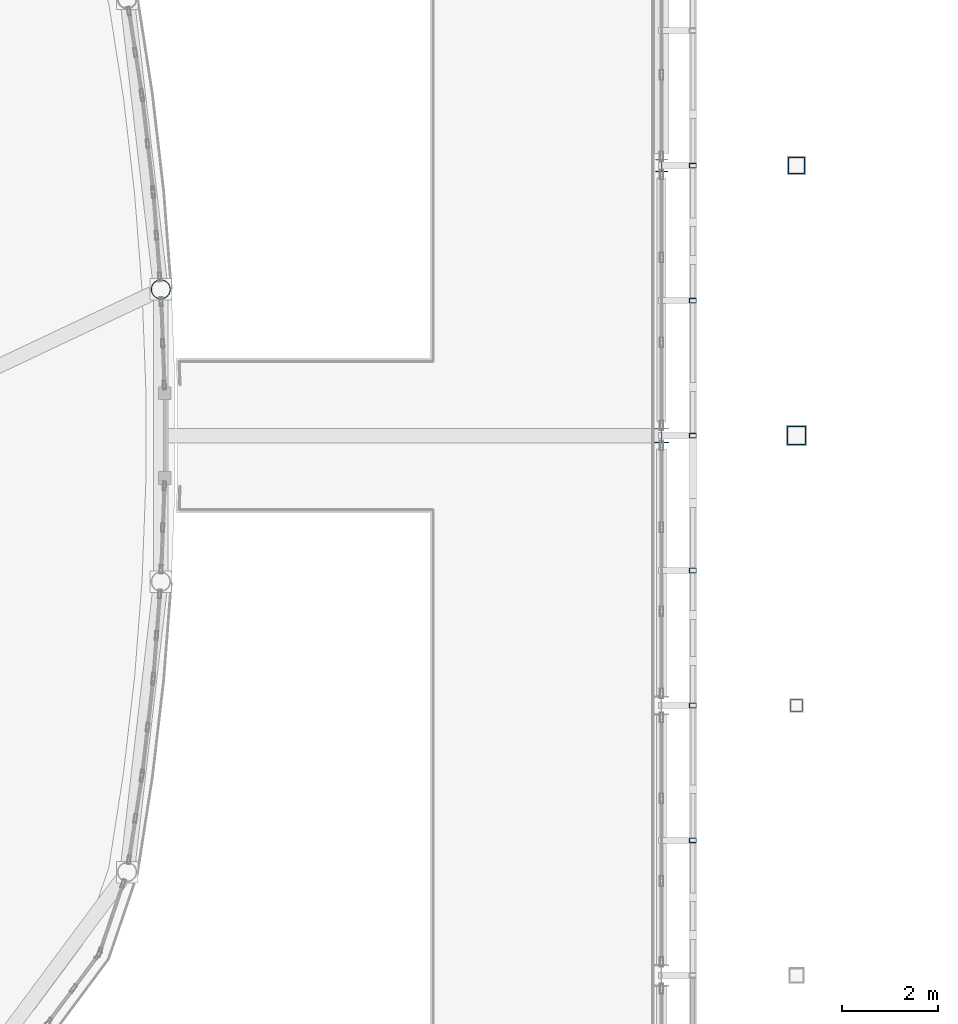
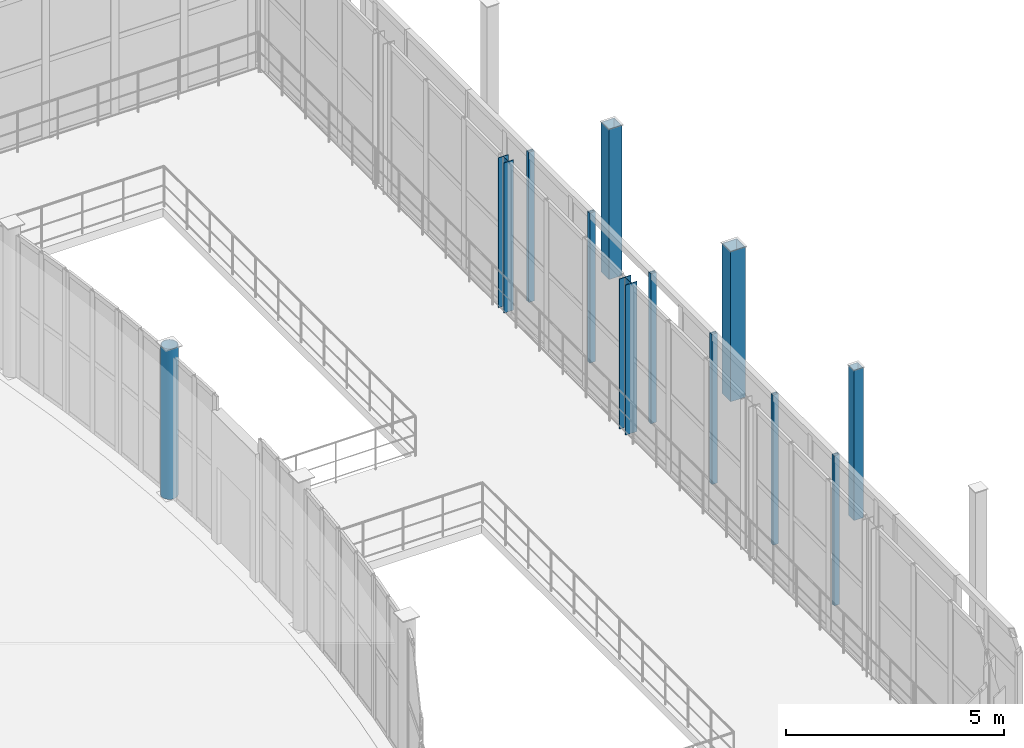
# One storey, part 12 of 121: 12 columns.
"""IFC4 building model written with IfcOpenShell, lengths in metres."""

from ifc_helpers import new_model, si_unit, direction, frame, origin, origin_2d, place, context, subcontext, project, spatial, hollow_rectangle, hollow_circle, i_section, extrude, material, material_profile, profile_set, type_object, element, save


model = new_model("IFC4")

# Units and contexts
model_context = context("Model", 3, precision=1e-05, world=origin(), true_north=direction((0.0, 1.0)))
body_context = subcontext(model_context, "Body", "Model", "MODEL_VIEW")
ifc_project = project(units=[si_unit("LENGTHUNIT", "METRE"), si_unit("AREAUNIT", "SQUARE_METRE"), si_unit("VOLUMEUNIT", "CUBIC_METRE"), si_unit("PLANEANGLEUNIT", "RADIAN"), si_unit("MASSUNIT", "GRAM", prefix="KILO")], contexts=[model_context])

# Site, building, storey
site_placement = place(None, origin())
site = spatial("IfcSite", under=ifc_project, at=site_placement, CompositionType="ELEMENT")
building_placement = place(site_placement, origin())
building = spatial("IfcBuilding", under=site, at=building_placement, Name="Vinh Khe Railworks Police Headquarters", CompositionType="ELEMENT")
storey_placement = place(building_placement, frame((0.0, 0.0, 4.800048828125)))
storey = spatial("IfcBuildingStorey", under=building, at=storey_placement, Name="L01", CompositionType="ELEMENT", Elevation=4.800048828125)

# Columns
ifc_material = material(Name="Steel S355JR", Category="steel")
ifc_material_profile_1 = material_profile(ifc_material, hollow_rectangle(XDim=0.14990234375, YDim=0.10009765625, WallThickness=0.008056640625, at=origin_2d()), Name="RHS 150x100x8")
ifc_profile_set_1 = profile_set([ifc_material_profile_1], Name="Steel S355JR")
column_type_1 = type_object("IfcColumnType", Name="COL-QUILT-POST", PredefinedType="COLUMN", material=ifc_profile_set_1)
for number, where, z_axis, x_axis, name in (
    (1, (60.64990234375, 33.60009765625, 0.0), (0.0, 0.0, 1.0), (1.0, 0.0, 0.0), "Patchwork Quilt Carrier Column E-4 (L01)"),
    (2, (60.64990234375, 36.39990234375, 0.0), (0.0, 0.0, 1.0), (1.0, 0.0, 0.0), "Patchwork Quilt Carrier Column E-5 (L01)"),
    (3, (60.64990234375, 39.199951171875, 0.0), (0.0, 0.0, 1.0), (1.0, 0.0, 0.0), "Patchwork Quilt Carrier Column E-6 (L01)"),
    (4, (60.64990234375, 42.0, 0.0), (0.0, 0.0, 1.0), (1.0, 0.0, 0.0), "Patchwork Quilt Carrier Column E-7 (L01)"),
    (5, (60.64990234375, 44.800048828125, 0.0), (0.0, 0.0, 1.0), (1.0, 0.0, 0.0), "Patchwork Quilt Carrier Column E-8 (L01)"),
    (6, (60.64990234375, 47.60009765625, 0.0), (0.0, 0.0, 1.0), (1.0, 0.0, 0.0), "Patchwork Quilt Carrier Column E-9 (L01)"),
):
    element("IfcColumn", number, at=place(storey_placement, frame(where, z_axis=z_axis, x_axis=x_axis)), inside=storey, type_object=column_type_1, Name=name, PredefinedType="COLUMN", context=body_context, shape_type="SweptSolid", body=[
        extrude(hollow_rectangle(XDim=0.14990234375, YDim=0.10009765625, WallThickness=0.008056640625, at=origin_2d()), origin(), (0.0, 0.0, 1.0), 4.199951171875),
    ])
ifc_material_profile_2 = material_profile(ifc_material, hollow_circle(Radius=0.203125, WallThickness=0.01611328125, at=origin_2d()), Name="CHS 406.4x16")
ifc_profile_set_2 = profile_set([ifc_material_profile_2], Name="Steel S355JR")
column_type_2 = type_object("IfcColumnType", Name="Steel Column CHS 406.4x16", PredefinedType="COLUMN", material=ifc_profile_set_2)
column_1_placement = place(storey_placement, frame((49.6123046875, 45.031982421875, 0.0), z_axis=(0.0, 0.0, 1.0), x_axis=(0.997039347045, 0.076893045491, 0.0)))
element("IfcColumn", 7, at=column_1_placement, inside=storey, type_object=column_type_2, Name="Column COL-L01-SC-26-0956", PredefinedType="COLUMN", context=body_context, shape_type="SweptSolid", body=[
    extrude(hollow_circle(Radius=0.203125, WallThickness=0.01611328125, at=origin_2d()), origin(), (0.0, 0.0, 1.0), 4.199951171875),
])
ifc_material_profile_3 = material_profile(ifc_material, i_section(OverallWidth=0.260009765625, OverallDepth=0.260009765625, WebThickness=0.010009765625, FlangeThickness=0.017578125, FilletRadius=0.02392578125, at=origin_2d()), Name="HEB 260")
ifc_profile_set_3 = profile_set([ifc_material_profile_3], Name="Steel S355JR")
column_type_3 = type_object("IfcColumnType", Name="Steel Column HEB 260", PredefinedType="COLUMN", material=ifc_profile_set_3)
column_2_placement = place(storey_placement, frame((60.0, 47.60009765625, 0.0), z_axis=(0.0, 0.0, 1.0), x_axis=(1.0, 0.0, 0.0)))
element("IfcColumn", 8, at=column_2_placement, inside=storey, type_object=column_type_3, Name="Column COL-L01-SC-12-1029", PredefinedType="COLUMN", context=body_context, shape_type="SweptSolid", body=[
    extrude(i_section(OverallWidth=0.260009765625, OverallDepth=0.260009765625, WebThickness=0.010009765625, FlangeThickness=0.017578125, FilletRadius=0.02392578125, at=origin_2d()), origin(), (0.0, 0.0, 1.0), 4.199951171875),
])
ifc_material_profile_4 = material_profile(ifc_material, i_section(OverallWidth=0.300048828125, OverallDepth=0.300048828125, WebThickness=0.010986328125, FlangeThickness=0.01904296875, FilletRadius=0.027099609375, at=origin_2d()), Name="HEB 300")
ifc_profile_set_4 = profile_set([ifc_material_profile_4], Name="Steel S355JR")
column_type_4 = type_object("IfcColumnType", Name="Steel Column HEB 300", PredefinedType="COLUMN", material=ifc_profile_set_4)
column_3_placement = place(storey_placement, frame((60.0, 42.0, 0.0), z_axis=(0.0, 0.0, 1.0), x_axis=(1.0, 0.0, 0.0)))
element("IfcColumn", 9, at=column_3_placement, inside=storey, type_object=column_type_4, Name="Column COL-L01-SC-11-1024", PredefinedType="COLUMN", context=body_context, shape_type="SweptSolid", body=[
    extrude(i_section(OverallWidth=0.300048828125, OverallDepth=0.300048828125, WebThickness=0.010986328125, FlangeThickness=0.01904296875, FilletRadius=0.027099609375, at=origin_2d()), origin(), (0.0, 0.0, 1.0), 4.199951171875),
])
ifc_material_profile_5 = material_profile(ifc_material, hollow_rectangle(XDim=0.25, YDim=0.25, WallThickness=0.012451171875, at=origin_2d()), Name="SHS 250x250x12.5")
ifc_profile_set_5 = profile_set([ifc_material_profile_5], Name="Steel S355JR")
column_type_5 = type_object("IfcColumnType", Name="Steel Column SHS 250x250x12.5", PredefinedType="COLUMN", material=ifc_profile_set_5)
column_4_placement = place(storey_placement, frame((62.800048828125, 36.39990234375, 0.0), z_axis=(0.0, 0.0, 1.0), x_axis=(1.0, 0.0, 0.0)))
element("IfcColumn", 10, at=column_4_placement, inside=storey, type_object=column_type_5, Name="Column COL-L01-SC-24-1083", PredefinedType="COLUMN", context=body_context, shape_type="SweptSolid", body=[
    extrude(hollow_rectangle(XDim=0.25, YDim=0.25, WallThickness=0.012451171875, at=origin_2d()), origin(), (0.0, 0.0, 1.0), 4.199951171875),
])
ifc_material_profile_6 = material_profile(ifc_material, hollow_rectangle(XDim=0.35009765625, YDim=0.35009765625, WallThickness=0.01611328125, at=origin_2d()), Name="SHS 350x350x16")
ifc_profile_set_6 = profile_set([ifc_material_profile_6], Name="Steel S355JR")
column_type_6 = type_object("IfcColumnType", Name="Steel Column SHS 350x350x16", PredefinedType="COLUMN", material=ifc_profile_set_6)
column_5_placement = place(storey_placement, frame((62.800048828125, 47.60009765625, 0.0), z_axis=(0.0, 0.0, 1.0), x_axis=(1.0, 0.0, 0.0)))
element("IfcColumn", 11, at=column_5_placement, inside=storey, type_object=column_type_6, Name="Column COL-L01-SC-22-1093", PredefinedType="COLUMN", context=body_context, shape_type="SweptSolid", body=[
    extrude(hollow_rectangle(XDim=0.35009765625, YDim=0.35009765625, WallThickness=0.01611328125, at=origin_2d()), origin(), (0.0, 0.0, 1.0), 4.199951171875),
])
ifc_material_profile_7 = material_profile(ifc_material, hollow_rectangle(XDim=0.39990234375, YDim=0.39990234375, WallThickness=0.02001953125, at=origin_2d()), Name="SHS 400x400x20")
ifc_profile_set_7 = profile_set([ifc_material_profile_7], Name="Steel S355JR")
column_type_7 = type_object("IfcColumnType", Name="Steel Column SHS 400x400x20", PredefinedType="COLUMN", material=ifc_profile_set_7)
column_6_placement = place(storey_placement, frame((62.800048828125, 42.0, 0.0), z_axis=(0.0, 0.0, 1.0), x_axis=(1.0, 0.0, 0.0)))
element("IfcColumn", 12, at=column_6_placement, inside=storey, type_object=column_type_7, Name="Column COL-L01-SC-21-1088", PredefinedType="COLUMN", context=body_context, shape_type="SweptSolid", body=[
    extrude(hollow_rectangle(XDim=0.39990234375, YDim=0.39990234375, WallThickness=0.02001953125, at=origin_2d()), origin(), (0.0, 0.0, 1.0), 4.199951171875),
])

save(model, "model.ifc")
